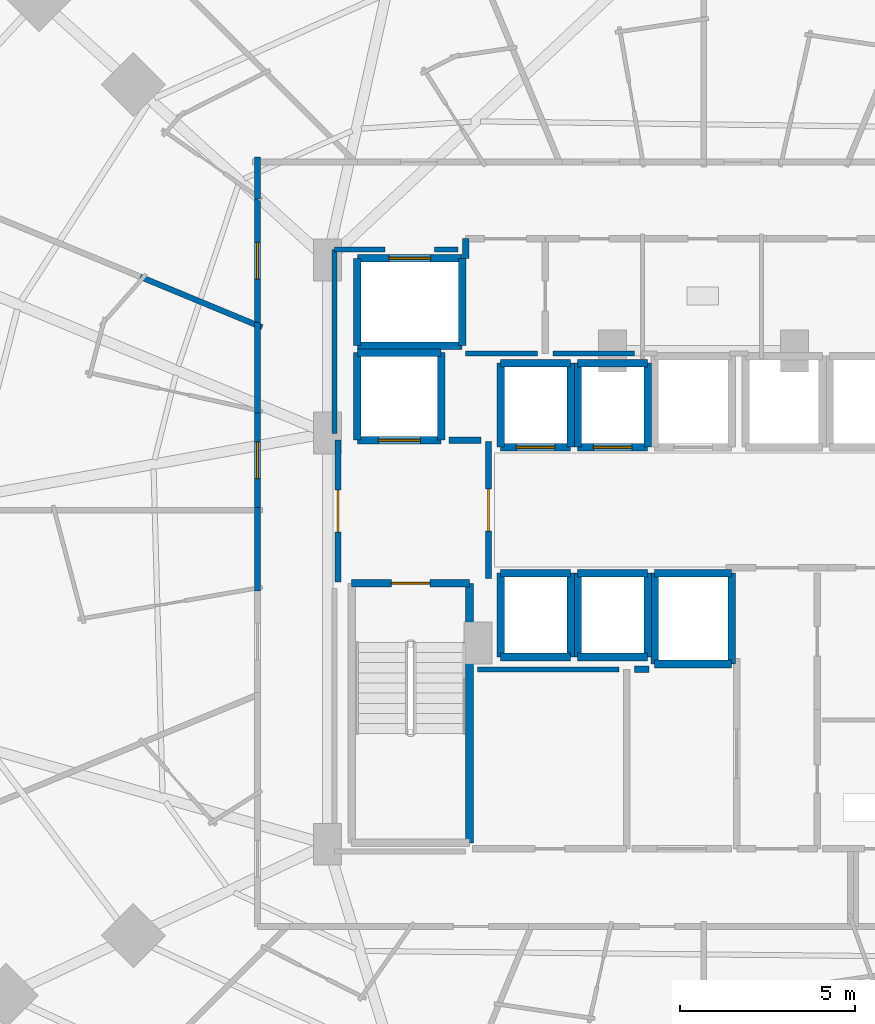
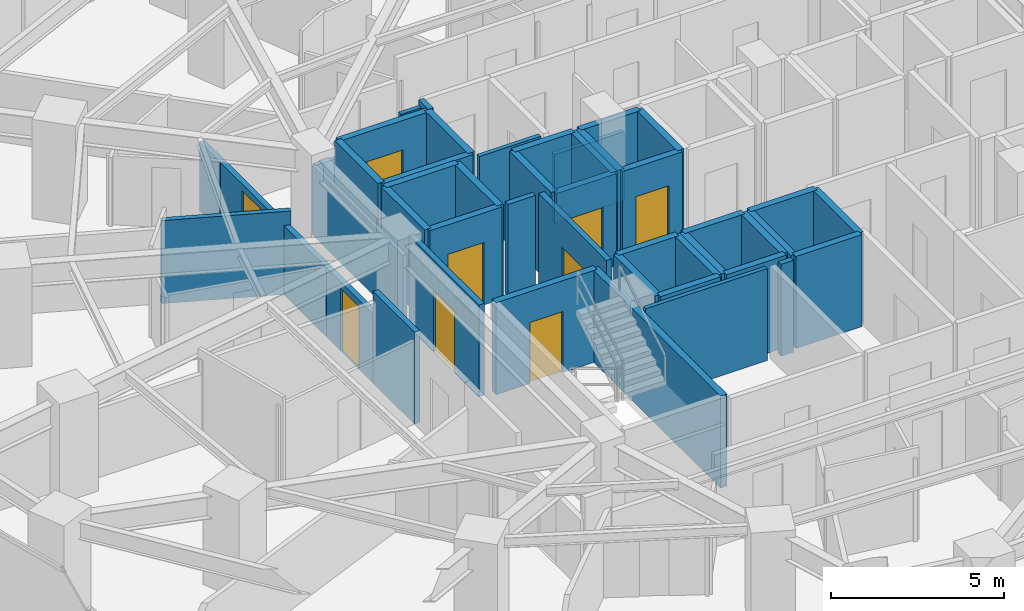
# One storey, part 28 of 36: 47 walls, 9 doors, 9 openings.
"""IFC4 building model written with IfcOpenShell, lengths in metres."""

import ifcopenshell
import ifcopenshell.guid

model = None  # the IFC model being written
_history = None  # IfcOwnerHistory: only IFC2X3 demands one
_inside = {}  # id of a spatial element -> (the spatial element, [elements in it])
_under = {}  # id of a project, library or spatial element -> (it, [spatial elements below it])
_declared = {}  # id of a project -> (the project, [libraries it declares])
_typed = {}  # id of a type object -> (the type object, [elements of that type])
_made_of = {}  # id of a material, layer set ... -> (it, [elements and type objects made of it])


def new_model(schema):
    """Start an empty IFC model of exactly this schema.

    Asked for "IFC4X3", IfcOpenShell would pick the latest addendum, in which some entities
    have other attributes; the version numbers below select the first issue.
    IFC2X3 requires an IfcOwnerHistory on every rooted entity: one is made here for all.
    """
    global model, _history
    if schema == "IFC4X3":
        model = ifcopenshell.file(schema_version=(4, 3, 0, 0))
    else:
        model = ifcopenshell.file(schema=schema)
    _inside.clear()
    _under.clear()
    _declared.clear()
    _typed.clear()
    _made_of.clear()
    _history = None
    if model.schema == "IFC2X3":
        org = make("IfcOrganization", Name="unknown")
        user = make(
            "IfcPersonAndOrganization",
            ThePerson=make("IfcPerson", FamilyName="unknown"),
            TheOrganization=org,
        )
        app = make(
            "IfcApplication",
            ApplicationDeveloper=org,
            Version="unknown",
            ApplicationFullName="unknown",
            ApplicationIdentifier="unknown",
        )
        _history = make(
            "IfcOwnerHistory",
            OwningUser=user,
            OwningApplication=app,
            ChangeAction="ADDED",
            CreationDate=0,
        )
    return model


def make(cls, **values):
    """One entity of the class cls with the attributes given. An attribute that is None is left unset."""
    return model.create_entity(
        cls, **{name: value for name, value in values.items() if value is not None}
    )


def rooted(cls, **values):
    """An entity with a GlobalId (a new one), such as an element, a storey or a relation."""
    return make(cls, GlobalId=ifcopenshell.guid.new(), OwnerHistory=_history, **values)


def si_unit(unit_type, name, prefix=None):
    """IfcSIUnit, for example si_unit("LENGTHUNIT", "METRE", prefix="MILLI")."""
    return make("IfcSIUnit", UnitType=unit_type, Prefix=prefix, Name=name)


def assignment(units):
    """IfcUnitAssignment: the units of a project."""
    return None if units is None else make("IfcUnitAssignment", Units=units)


def point(xyz):
    """IfcCartesianPoint."""
    return None if xyz is None else make("IfcCartesianPoint", Coordinates=xyz)


def direction(xyz):
    """IfcDirection."""
    return None if xyz is None else make("IfcDirection", DirectionRatios=xyz)


def frame(location, z_axis=None, x_axis=None):
    """IfcAxis2Placement3D, a coordinate frame: its origin and axes. An axis left out is left unset."""
    return make(
        "IfcAxis2Placement3D",
        Location=point(location),
        Axis=direction(z_axis),
        RefDirection=direction(x_axis),
    )


def frame_2d(location, x_axis=None):
    """IfcAxis2Placement2D, a coordinate frame in the plane: its origin and x axis."""
    return make(
        "IfcAxis2Placement2D", Location=point(location), RefDirection=direction(x_axis)
    )


def origin():
    """The frame at (0, 0, 0) with its axes left unset."""
    return frame((0.0, 0.0, 0.0))


def place(relative_to, where):
    """IfcLocalPlacement: puts the frame where relative to a parent placement (None: the world)."""
    return make(
        "IfcLocalPlacement", PlacementRelTo=relative_to, RelativePlacement=where
    )


def context(
    kind, dimensions, precision=None, world=None, true_north=None, identifier=None
):
    """IfcGeometricRepresentationContext, for example the 3D "Model" context."""
    return make(
        "IfcGeometricRepresentationContext",
        ContextIdentifier=identifier,
        ContextType=kind,
        CoordinateSpaceDimension=dimensions,
        Precision=precision,
        WorldCoordinateSystem=world,
        TrueNorth=true_north,
    )


def subcontext(parent, identifier, kind, view, scale=None):
    """IfcGeometricRepresentationSubContext, for example "Body" below "Model"."""
    return make(
        "IfcGeometricRepresentationSubContext",
        ContextIdentifier=identifier,
        ContextType=kind,
        ParentContext=parent,
        TargetScale=scale,
        TargetView=view,
    )


def project(units=None, contexts=None):
    """IfcProject with its units and contexts."""
    return rooted(
        "IfcProject",
        Name="project",
        RepresentationContexts=contexts,
        UnitsInContext=assignment(units),
    )


def spatial(cls, under=None, at=None, **own):
    """A site, building, storey or space (cls), placed at a placement, below another one or the project."""
    s = rooted(cls, ObjectPlacement=at, **own)
    if under is not None:
        _under.setdefault(under.id(), (under, []))[1].append(s)
    return s


def profile(cls, at=None, kind="AREA", **sizes):
    """A parametric profile (cls). Its sizes go by their IFC names, for example OverallWidth=200.0."""
    return make(cls, ProfileType=kind, Position=at, **sizes)


def rectangle(**sizes):
    """IfcRectangleProfileDef."""
    return profile("IfcRectangleProfileDef", **sizes)


def extrude(swept, where, along, depth):
    """IfcExtrudedAreaSolid: the profile swept, set in the frame where, extruded along a direction by depth."""
    return make(
        "IfcExtrudedAreaSolid",
        SweptArea=swept,
        Position=where,
        ExtrudedDirection=direction(along),
        Depth=depth,
    )


def shape(context_of_items, identifier, shape_type, items):
    """IfcShapeRepresentation: the items that make up one representation, for example the "Body"."""
    return make(
        "IfcShapeRepresentation",
        ContextOfItems=context_of_items,
        RepresentationIdentifier=identifier,
        RepresentationType=shape_type,
        Items=items,
    )


def material(Name=None, Category=None):
    """IfcMaterial."""
    return make("IfcMaterial", Name=Name, Category=Category)


def layer(
    of_material, thickness, ventilated=None, Name=None, Category=None, Priority=None
):
    """IfcMaterialLayer: one layer of a wall or slab, of a material (None: an air gap)."""
    return make(
        "IfcMaterialLayer",
        Material=of_material,
        LayerThickness=thickness,
        IsVentilated=ventilated,
        Name=Name,
        Category=Category,
        Priority=Priority,
    )


def layer_set(layers, Name=None):
    """IfcMaterialLayerSet."""
    return make("IfcMaterialLayerSet", MaterialLayers=layers, LayerSetName=Name)


def made_of(thing, what):
    """Note that an element or type object is made of a material, layer set ...; save() writes the relation."""
    if what is not None:
        _made_of.setdefault(what.id(), (what, []))[1].append(thing)
    return thing


def type_object(cls, material=None, **own):
    """A type object (cls), such as IfcWallType, which elements share."""
    return made_of(rooted(cls, **own), material)


def element(
    cls,
    number,
    at=None,
    inside=None,
    cuts=None,
    type_object=None,
    material=None,
    context=None,
    identifier="Body",
    shape_type=None,
    held_by="IfcProductDefinitionShape",
    body=None,
    shapes=None,
    **own,
):
    """One element of the class cls, such as IfcWall. Its Tag is "e" and its number.

    at: its placement. inside: the storey or other place that contains it. cuts: it is an
    opening in that element (IfcRelVoidsElement). A single representation is given by context,
    identifier, shape_type and body (its items); several are given by shapes. held_by: the class
    of the entity that holds the representations. save() writes the other relations.
    """
    e = rooted(cls, Tag="e%d" % number, ObjectPlacement=at, **own)
    if body is not None:
        shapes = [shape(context, identifier, shape_type, body)]
    if shapes is not None:
        e.Representation = make(held_by, Representations=shapes)
    if inside is not None:
        _inside.setdefault(inside.id(), (inside, []))[1].append(e)
    if cuts is not None:
        rooted(
            "IfcRelVoidsElement", RelatingBuildingElement=cuts, RelatedOpeningElement=e
        )
    if type_object is not None:
        _typed.setdefault(type_object.id(), (type_object, []))[1].append(e)
    return made_of(e, material)


def fill(opening, filler):
    """IfcRelFillsElement: the door or window that sits in an opening."""
    return rooted(
        "IfcRelFillsElement",
        RelatingOpeningElement=opening,
        RelatedBuildingElement=filler,
    )


def aggregate(whole, parts):
    """IfcRelAggregates: a whole, such as a stair, and the parts it consists of."""
    return rooted("IfcRelAggregates", RelatingObject=whole, RelatedObjects=parts)


def save(model, path):
    """Write the relations noted so far, then the file.

    IfcRelAggregates (storeys below a building ...), IfcRelContainedInSpatialStructure (elements
    in a storey), IfcRelDefinesByType, IfcRelAssociatesMaterial and IfcRelDeclares: one each for
    every whole, place, type object, material and project.
    """
    for whole, parts in _under.values():
        aggregate(whole, parts)
    for where, things in _inside.values():
        rooted(
            "IfcRelContainedInSpatialStructure",
            RelatedElements=things,
            RelatingStructure=where,
        )
    for kind, things in _typed.values():
        rooted("IfcRelDefinesByType", RelatedObjects=things, RelatingType=kind)
    for what, things in _made_of.values():
        rooted("IfcRelAssociatesMaterial", RelatedObjects=things, RelatingMaterial=what)
    for by, libraries in _declared.values():
        rooted("IfcRelDeclares", RelatingContext=by, RelatedDefinitions=libraries)
    model.write(path)


model = new_model("IFC4")

# Units and contexts
model_context = context("Model", 3, precision=1e-05, world=origin(), true_north=direction((0.0, 1.0)))
body_context = subcontext(model_context, "Body", "Model", "MODEL_VIEW")
ifc_project = project(units=[si_unit("LENGTHUNIT", "METRE"), si_unit("AREAUNIT", "SQUARE_METRE"), si_unit("VOLUMEUNIT", "CUBIC_METRE"), si_unit("PLANEANGLEUNIT", "RADIAN"), si_unit("MASSUNIT", "GRAM", prefix="KILO")], contexts=[model_context])

# Site, building, storey
site_placement = place(None, origin())
site = spatial("IfcSite", under=ifc_project, at=site_placement, CompositionType="ELEMENT")
building_placement = place(site_placement, origin())
building = spatial("IfcBuilding", under=site, at=building_placement, Name="Vorneva Point Tower", CompositionType="ELEMENT")
storey_placement = place(building_placement, frame((0.0, 0.0, 24.0)))
storey = spatial("IfcBuildingStorey", under=building, at=storey_placement, Name="L05", CompositionType="ELEMENT", Elevation=24.0)

# Wall, opening, door
ifc_material_1 = material(Name="Concrete B60 (C50/60)", Category="concrete")
ifc_layer_1 = layer(ifc_material_1, 0.5)
ifc_layer_set_1 = layer_set([ifc_layer_1], Name="Concrete B60 (C50/60)")
wall_type_1 = type_object("IfcWallType", Name="WL-CORE-500", PredefinedType="SHEAR", material=ifc_layer_set_1)
wall_1_placement = place(storey_placement, frame((28.10009765625, 28.0, 0.0), z_axis=(0.0, 0.0, 1.0), x_axis=(1.0, 0.0, 0.0)))
wall_1 = element("IfcWall", 1, at=wall_1_placement, inside=storey, type_object=wall_type_1, Name="L05 Lift FFL1 Shaft Wall -Y", PredefinedType="SHEAR", context=body_context, shape_type="SweptSolid", body=[
    extrude(rectangle(XDim=2.39990234375, YDim=0.219970703125, at=frame_2d((1.199951171875, 0.0))), origin(), (0.0, 0.0, 1.0), 3.239990234375),
])
opening_1_placement = place(wall_1_placement, frame((0.60009765625, 0.0, 0.0)))
opening_1 = element("IfcOpeningElement", 2, at=opening_1_placement, cuts=wall_1, Name="Opening LD-02", PredefinedType="OPENING", context=body_context, shape_type="SweptSolid", body=[
    extrude(rectangle(XDim=1.199951171875, YDim=2.199951171875, at=frame_2d((0.60009765625, 1.10009765625))), frame((0.0, 0.125, 0.0), z_axis=(0.0, -1.0, 0.0), x_axis=(1.0, 0.0, 0.0)), (0.0, 0.0, 1.0), 0.249755859375),
])
ifc_material_2 = material(Name="Brushed stainless steel S304", Category="steel")
door_type_1 = type_object("IfcDoorType", Name="LD-FIRE-1200", OperationType="SLIDING_TO_LEFT", PredefinedType="DOOR", material=ifc_material_2)
door_1_placement = place(opening_1_placement, origin())
door_1 = element("IfcDoor", 3, at=door_1_placement, inside=storey, type_object=door_type_1, Name="L05 Lift FFL1 Sliding Landing Door", OperationType="SLIDING_TO_LEFT", OverallHeight=2.199951171875, OverallWidth=1.199951171875, PredefinedType="DOOR", context=body_context, shape_type="SweptSolid", body=[
    extrude(rectangle(XDim=1.199951171875, YDim=2.199951171875, at=frame_2d((0.60009765625, 1.10009765625))), frame((0.0, 0.02490234375, 0.0), z_axis=(0.0, -1.0, 0.0), x_axis=(1.0, 0.0, 0.0)), (0.0, 0.0, 1.0), 0.050048828125),
])
fill(opening_1, door_1)

# Walls
wall_2_placement = place(storey_placement, frame((30.5, 28.0, 0.0), z_axis=(0.0, 0.0, 1.0), x_axis=(0.0, 1.0, 0.0)))
element("IfcWall", 4, at=wall_2_placement, inside=storey, type_object=wall_type_1, Name="L05 Lift FFL1 Shaft Wall +X", PredefinedType="SHEAR", context=body_context, shape_type="SweptSolid", body=[
    extrude(rectangle(XDim=2.5, YDim=0.219970703125, at=frame_2d((1.25, 0.0))), origin(), (0.0, 0.0, 1.0), 3.239990234375),
])
wall_3_placement = place(storey_placement, frame((30.5, 30.5, 0.0), z_axis=(0.0, 0.0, 1.0), x_axis=(-1.0, 0.0, 0.0)))
element("IfcWall", 5, at=wall_3_placement, inside=storey, type_object=wall_type_1, Name="L05 Lift FFL1 Shaft Wall +Y", PredefinedType="SHEAR", context=body_context, shape_type="SweptSolid", body=[
    extrude(rectangle(XDim=2.39990234375, YDim=0.219970703125, at=frame_2d((1.199951171875, 0.0))), origin(), (0.0, 0.0, 1.0), 3.239990234375),
])
wall_4_placement = place(storey_placement, frame((28.10009765625, 30.5, 0.0), z_axis=(0.0, 0.0, 1.0), x_axis=(0.0, -1.0, 0.0)))
element("IfcWall", 6, at=wall_4_placement, inside=storey, type_object=wall_type_1, Name="L05 Lift FFL1 Shaft Wall -X", PredefinedType="SHEAR", context=body_context, shape_type="SweptSolid", body=[
    extrude(rectangle(XDim=2.5, YDim=0.219970703125, at=frame_2d((1.25, 0.0))), origin(), (0.0, 0.0, 1.0), 3.239990234375),
])
ifc_material_3 = material(Name="Fire-rated acoustic gypsum stud partition", Category="gypsum")
ifc_layer_2 = layer(ifc_material_3, 0.139892578125)
ifc_layer_set_2 = layer_set([ifc_layer_2], Name="Fire-rated acoustic gypsum stud partition")
wall_type_2 = type_object("IfcWallType", Name="WL-PART-140", PredefinedType="PARTITIONING", material=ifc_layer_set_2)
wall_5_placement = place(storey_placement, frame((31.199951171875, 30.47998046875, 0.0), z_axis=(0.0, 0.0, 1.0), x_axis=(1.0, 0.0, 0.0)))
element("IfcWall", 7, at=wall_5_placement, inside=storey, type_object=wall_type_2, Name="L05 Interior Closure Partition 111", PredefinedType="PARTITIONING", context=body_context, shape_type="SweptSolid", body=[
    extrude(rectangle(XDim=2.050048828125, YDim=0.139892578125, at=frame_2d((1.02490234375, 0.0))), origin(), (0.0, 0.0, 1.0), 3.239990234375),
])
wall_6_placement = place(storey_placement, frame((33.699951171875, 30.47998046875, 0.0), z_axis=(0.0, 0.0, 1.0), x_axis=(1.0, 0.0, 0.0)))
element("IfcWall", 8, at=wall_6_placement, inside=storey, type_object=wall_type_2, Name="L05 Interior Closure Partition 112", PredefinedType="PARTITIONING", context=body_context, shape_type="SweptSolid", body=[
    extrude(rectangle(XDim=2.330078125, YDim=0.139892578125, at=frame_2d((1.1650390625, 0.0))), origin(), (0.0, 0.0, 1.0), 2.431884765625),
])
wall_7_placement = place(storey_placement, frame((35.580078125, 21.449951171875, 0.0), z_axis=(0.0, 0.0, 1.0), x_axis=(-1.0, 0.0, 0.0)))
element("IfcWall", 9, at=wall_7_placement, inside=storey, type_object=wall_type_2, Name="L05 Interior Closure Partition 117", PredefinedType="PARTITIONING", context=body_context, shape_type="SweptSolid", body=[
    extrude(rectangle(XDim=4.050048828125, YDim=0.139892578125, at=frame_2d((2.02490234375, 0.0))), origin(), (0.0, 0.0, 1.0), 3.239990234375),
])
wall_8_placement = place(storey_placement, frame((27.449951171875, 28.196044921875, 0.0), z_axis=(0.0, 0.0, 1.0), x_axis=(0.0, 1.0, 0.0)))
element("IfcWall", 10, at=wall_8_placement, inside=storey, type_object=wall_type_2, Name="L05 Interior Closure Partition 125", PredefinedType="PARTITIONING", context=body_context, shape_type="SweptSolid", body=[
    extrude(rectangle(XDim=5.25390625, YDim=0.139892578125, at=frame_2d((2.626953125, 0.0))), origin(), (0.0, 0.0, 1.0), 2.431884765625),
])
wall_9_placement = place(storey_placement, frame((27.449951171875, 33.449951171875, 0.0), z_axis=(0.0, 0.0, 1.0), x_axis=(1.0, 0.0, 0.0)))
element("IfcWall", 11, at=wall_9_placement, inside=storey, type_object=wall_type_2, Name="L05 Interior Closure Partition 126", PredefinedType="PARTITIONING", context=body_context, shape_type="SweptSolid", body=[
    extrude(rectangle(XDim=1.444091796875, YDim=0.139892578125, at=frame_2d((0.72216796875, 0.0))), origin(), (0.0, 0.0, 1.0), 2.431884765625),
])
wall_10_placement = place(storey_placement, frame((30.305908203125, 33.449951171875, 0.0), z_axis=(0.0, 0.0, 1.0), x_axis=(1.0, 0.0, 0.0)))
element("IfcWall", 12, at=wall_10_placement, inside=storey, type_object=wall_type_2, Name="L05 Interior Closure Partition 127", PredefinedType="PARTITIONING", context=body_context, shape_type="SweptSolid", body=[
    extrude(rectangle(XDim=0.674072265625, YDim=0.139892578125, at=frame_2d((0.3369140625, 0.0))), origin(), (0.0, 0.0, 1.0), 3.239990234375),
])
ifc_layer_3 = layer(ifc_material_3, 0.159912109375)
ifc_layer_set_3 = layer_set([ifc_layer_3], Name="Fire-rated acoustic gypsum stud partition")
wall_type_3 = type_object("IfcWallType", Name="WL-PART-160", PredefinedType="PARTITIONING", material=ifc_layer_set_3)
wall_11_placement = place(storey_placement, frame((21.898681640625, 32.66943359375, 0.0), z_axis=(0.0, 0.0, 1.0), x_axis=(0.923843852071, -0.382769561211, 0.0)))
element("IfcWall", 13, at=wall_11_placement, inside=storey, type_object=wall_type_3, Name="L05 Interior Partition 087", PredefinedType="PARTITIONING", context=body_context, shape_type="SweptSolid", body=[
    extrude(rectangle(XDim=3.767578125, YDim=0.159912109375, at=frame_2d((1.8837890625, 0.0))), origin(), (0.0, 0.0, 1.0), 2.922119140625),
])

# Wall, opening, door
ifc_material_4 = material(Name="Autoclaved aerated concrete blockwork", Category="masonry")
ifc_layer_4 = layer(ifc_material_4, 0.179931640625)
ifc_layer_set_4 = layer_set([ifc_layer_4], Name="Autoclaved aerated concrete blockwork")
wall_type_4 = type_object("IfcWallType", Name="WL-PART-180", PredefinedType="PARTITIONING", material=ifc_layer_set_4)
wall_12_placement = place(storey_placement, frame((31.85009765625, 24.044921875, 0.0), z_axis=(0.0, 0.0, 1.0), x_axis=(0.0, 1.0, 0.0)))
wall_12 = element("IfcWall", 14, at=wall_12_placement, inside=storey, type_object=wall_type_4, Name="L05 Interior Partition 001", PredefinedType="PARTITIONING", context=body_context, shape_type="SweptSolid", body=[
    extrude(rectangle(XDim=3.91015625, YDim=0.179931640625, at=frame_2d((1.955078125, 0.0))), origin(), (0.0, 0.0, 1.0), 3.239990234375),
])
opening_2_placement = place(wall_12_placement, frame((1.35498046875, 0.0, 0.0)))
opening_2 = element("IfcOpeningElement", 15, at=opening_2_placement, cuts=wall_12, Name="Opening FD-02", PredefinedType="OPENING", context=body_context, shape_type="SweptSolid", body=[
    extrude(rectangle(XDim=1.199951171875, YDim=2.14990234375, at=frame_2d((0.60009765625, 1.074951171875))), frame((0.0, 0.10498046875, 0.0), z_axis=(0.0, -1.0, 0.0), x_axis=(1.0, 0.0, 0.0)), (0.0, 0.0, 1.0), 0.209716796875),
])
ifc_material_5 = material(Name="Fire-rated powder-coated steel", Category="steel")
door_type_2 = type_object("IfcDoorType", Name="DR-FFL-1200", OperationType="NOTDEFINED", PredefinedType="DOOR", material=ifc_material_5)
door_2_placement = place(opening_2_placement, origin())
door_2 = element("IfcDoor", 16, at=door_2_placement, inside=storey, type_object=door_type_2, Name="L05 Door West Firefighting Lobby / Central Lift Lobby", OperationType="SINGLE_SWING_LEFT", OverallHeight=2.14990234375, OverallWidth=1.199951171875, PredefinedType="DOOR", context=body_context, shape_type="SweptSolid", body=[
    extrude(rectangle(XDim=1.199951171875, YDim=2.14990234375, at=frame_2d((0.60009765625, 1.074951171875))), frame((0.0, 0.02490234375, 0.0), z_axis=(0.0, -1.0, 0.0), x_axis=(1.0, 0.0, 0.0)), (0.0, 0.0, 1.0), 0.050048828125),
])
fill(opening_2, door_2)

wall_13_placement = place(storey_placement, frame((27.550048828125, 28.0, 0.0), z_axis=(0.0, 0.0, 1.0), x_axis=(0.0, -1.0, 0.0)))
wall_13 = element("IfcWall", 17, at=wall_13_placement, inside=storey, type_object=wall_type_4, Name="L05 Interior Partition 002", PredefinedType="PARTITIONING", context=body_context, shape_type="SweptSolid", body=[
    extrude(rectangle(XDim=4.050048828125, YDim=0.179931640625, at=frame_2d((2.02490234375, 0.0))), origin(), (0.0, 0.0, 1.0), 3.239990234375),
])
opening_3_placement = place(wall_13_placement, frame((1.425048828125, 0.0, 0.0)))
opening_3 = element("IfcOpeningElement", 18, at=opening_3_placement, cuts=wall_13, Name="Opening FD-02", PredefinedType="OPENING", context=body_context, shape_type="SweptSolid", body=[
    extrude(rectangle(XDim=1.199951171875, YDim=2.14990234375, at=frame_2d((0.60009765625, 1.074951171875))), frame((0.0, 0.10498046875, 0.0), z_axis=(0.0, -1.0, 0.0), x_axis=(1.0, 0.0, 0.0)), (0.0, 0.0, 1.0), 0.209716796875),
])
door_3_placement = place(opening_3_placement, origin())
door_3 = element("IfcDoor", 19, at=door_3_placement, inside=storey, type_object=door_type_2, Name="L05 Door West Firefighting Lobby / L05 Circulation Corridor", OperationType="SINGLE_SWING_RIGHT", OverallHeight=2.14990234375, OverallWidth=1.199951171875, PredefinedType="DOOR", context=body_context, shape_type="SweptSolid", body=[
    extrude(rectangle(XDim=1.199951171875, YDim=2.14990234375, at=frame_2d((0.60009765625, 1.074951171875))), frame((0.0, 0.02490234375, 0.0), z_axis=(0.0, -1.0, 0.0), x_axis=(1.0, 0.0, 0.0)), (0.0, 0.0, 1.0), 0.050048828125),
])
fill(opening_3, door_3)

# Wall
wall_14_placement = place(storey_placement, frame((31.199951171875, 33.760009765625, 0.0), z_axis=(0.0, 0.0, 1.0), x_axis=(0.0, -1.0, 0.0)))
element("IfcWall", 20, at=wall_14_placement, inside=storey, type_object=wall_type_4, Name="L05 Interior Partition 008", PredefinedType="PARTITIONING", context=body_context, shape_type="SweptSolid", body=[
    extrude(rectangle(XDim=0.56005859375, YDim=0.179931640625, at=frame_2d((0.280029296875, 0.0))), origin(), (0.0, 0.0, 1.0), 3.239990234375),
])

# Wall, opening, door
wall_15_placement = place(storey_placement, frame((25.25, 35.033935546875, 0.0), z_axis=(0.0, 0.0, 1.0), x_axis=(0.0, -1.0, 0.0)))
wall_15 = element("IfcWall", 21, at=wall_15_placement, inside=storey, type_object=wall_type_4, Name="L05 Interior Partition 039", PredefinedType="PARTITIONING", context=body_context, shape_type="SweptSolid", body=[
    extrude(rectangle(XDim=3.81298828125, YDim=0.179931640625, at=frame_2d((1.906494140625, 0.0))), origin(), (0.0, 0.0, 1.0), 2.431884765625),
])
opening_4_placement = place(wall_15_placement, frame((1.381591796875, 0.0, 0.0)))
opening_4 = element("IfcOpeningElement", 22, at=opening_4_placement, cuts=wall_15, Name="Opening UD-02", PredefinedType="OPENING", context=body_context, shape_type="SweptSolid", body=[
    extrude(rectangle(XDim=1.050048828125, YDim=2.199951171875, at=frame_2d((0.52490234375, 1.10009765625))), frame((0.0, 0.10498046875, 0.0), z_axis=(0.0, -1.0, 0.0), x_axis=(1.0, 0.0, 0.0)), (0.0, 0.0, 1.0), 0.209716796875),
])
ifc_material_6 = material(Name="Engineered oak fire-rated door leaf", Category="wood")
door_type_3 = type_object("IfcDoorType", Name="DR-SUITE-1050", OperationType="NOTDEFINED", PredefinedType="DOOR", material=ifc_material_6)
door_4_placement = place(opening_4_placement, origin())
door_4 = element("IfcDoor", 23, at=door_4_placement, inside=storey, type_object=door_type_3, Name="L05 Door L05 Circulation Corridor / Junior Suite L05-07", OperationType="SINGLE_SWING_LEFT", OverallHeight=2.199951171875, OverallWidth=1.050048828125, PredefinedType="DOOR", context=body_context, shape_type="SweptSolid", body=[
    extrude(rectangle(XDim=1.050048828125, YDim=2.199951171875, at=frame_2d((0.52490234375, 1.10009765625))), frame((0.0, 0.02490234375, 0.0), z_axis=(0.0, -1.0, 0.0), x_axis=(1.0, 0.0, 0.0)), (0.0, 0.0, 1.0), 0.050048828125),
])
fill(opening_4, door_4)

# Wall
wall_16_placement = place(storey_placement, frame((25.25, 36.090087890625, 0.0), z_axis=(0.0, 0.0, 1.0), x_axis=(0.0, -1.0, 0.0)))
element("IfcWall", 24, at=wall_16_placement, inside=storey, type_object=wall_type_4, Name="L05 Interior Partition 041", PredefinedType="PARTITIONING", context=body_context, shape_type="SweptSolid", body=[
    extrude(rectangle(XDim=1.196044921875, YDim=0.179931640625, at=frame_2d((0.59814453125, 0.0))), origin(), (0.0, 0.0, 1.0), 2.431884765625),
])

# Wall, opening, door
wall_17_placement = place(storey_placement, frame((25.25, 28.910888671875, 0.0), z_axis=(0.0, 0.0, 1.0), x_axis=(0.0, -1.0, 0.0)))
wall_17 = element("IfcWall", 25, at=wall_17_placement, inside=storey, type_object=wall_type_4, Name="L05 Interior Partition 042", PredefinedType="PARTITIONING", context=body_context, shape_type="SweptSolid", body=[
    extrude(rectangle(XDim=2.970947265625, YDim=0.179931640625, at=frame_2d((1.4853515625, 0.0))), origin(), (0.0, 0.0, 1.0), 2.431884765625),
])
opening_5_placement = place(wall_17_placement, frame((0.96044921875, 0.0, 0.0)))
opening_5 = element("IfcOpeningElement", 26, at=opening_5_placement, cuts=wall_17, Name="Opening UD-02", PredefinedType="OPENING", context=body_context, shape_type="SweptSolid", body=[
    extrude(rectangle(XDim=1.050048828125, YDim=2.199951171875, at=frame_2d((0.52490234375, 1.10009765625))), frame((0.0, 0.10498046875, 0.0), z_axis=(0.0, -1.0, 0.0), x_axis=(1.0, 0.0, 0.0)), (0.0, 0.0, 1.0), 0.209716796875),
])
door_5_placement = place(opening_5_placement, origin())
door_5 = element("IfcDoor", 27, at=door_5_placement, inside=storey, type_object=door_type_3, Name="L05 Door L05 Circulation Corridor / Executive Suite L05-08", OperationType="SINGLE_SWING_RIGHT", OverallHeight=2.199951171875, OverallWidth=1.050048828125, PredefinedType="DOOR", context=body_context, shape_type="SweptSolid", body=[
    extrude(rectangle(XDim=1.050048828125, YDim=2.199951171875, at=frame_2d((0.52490234375, 1.10009765625))), frame((0.0, 0.02490234375, 0.0), z_axis=(0.0, -1.0, 0.0), x_axis=(1.0, 0.0, 0.0)), (0.0, 0.0, 1.0), 0.050048828125),
])
fill(opening_5, door_5)

# Walls
wall_18_placement = place(storey_placement, frame((25.25, 31.361083984375, 0.0), z_axis=(0.0, 0.0, 1.0), x_axis=(0.0, -1.0, 0.0)))
element("IfcWall", 28, at=wall_18_placement, inside=storey, type_object=wall_type_4, Name="L05 Interior Partition 043", PredefinedType="PARTITIONING", context=body_context, shape_type="SweptSolid", body=[
    extrude(rectangle(XDim=2.590087890625, YDim=0.179931640625, at=frame_2d((1.294921875, 0.0))), origin(), (0.0, 0.0, 1.0), 2.431884765625),
])
wall_19_placement = place(storey_placement, frame((25.25, 26.080078125, 0.0), z_axis=(0.0, 0.0, 1.0), x_axis=(0.0, -1.0, 0.0)))
element("IfcWall", 29, at=wall_19_placement, inside=storey, type_object=wall_type_4, Name="L05 Interior Partition 045", PredefinedType="PARTITIONING", context=body_context, shape_type="SweptSolid", body=[
    extrude(rectangle(XDim=2.385009765625, YDim=0.179931640625, at=frame_2d((1.1923828125, 0.0))), origin(), (0.0, 0.0, 1.0), 3.239990234375),
])
wall_20_placement = place(storey_placement, frame((31.635009765625, 28.0, 0.0), z_axis=(0.0, 0.0, 1.0), x_axis=(-1.0, 0.0, 0.0)))
element("IfcWall", 30, at=wall_20_placement, inside=storey, type_object=wall_type_4, Name="L05 Interior Closure Partition 109", PredefinedType="PARTITIONING", context=body_context, shape_type="SweptSolid", body=[
    extrude(rectangle(XDim=0.9150390625, YDim=0.179931640625, at=frame_2d((0.45751953125, 0.0))), origin(), (0.0, 0.0, 1.0), 3.239990234375),
])
wall_21_placement = place(storey_placement, frame((36.43896484375, 21.449951171875, 0.0), z_axis=(0.0, 0.0, 1.0), x_axis=(-1.0, 0.0, 0.0)))
element("IfcWall", 31, at=wall_21_placement, inside=storey, type_object=wall_type_4, Name="L05 Interior Closure Partition 118", PredefinedType="PARTITIONING", context=body_context, shape_type="SweptSolid", body=[
    extrude(rectangle(XDim=0.408935546875, YDim=0.179931640625, at=frame_2d((0.20458984375, 0.0))), origin(), (0.0, 0.0, 1.0), 3.239990234375),
])

# Wall, opening, door
ifc_material_7 = material(Name="Concrete B50 (C40/50)", Category="concrete")
ifc_layer_5 = layer(ifc_material_7, 0.219970703125)
ifc_layer_set_5 = layer_set([ifc_layer_5], Name="Concrete B50 (C40/50)")
wall_type_5 = type_object("IfcWallType", Name="WL-SHFT-220", PredefinedType="SOLIDWALL", material=ifc_layer_set_5)
wall_22_placement = place(storey_placement, frame((27.93994140625, 23.909912109375, 0.0), z_axis=(0.0, 0.0, 1.0), x_axis=(1.0, 0.0, 0.0)))
wall_22 = element("IfcWall", 32, at=wall_22_placement, inside=storey, type_object=wall_type_5, Name="L05 Exit Stair ST1 Shaft Wall near", PredefinedType="SOLIDWALL", context=body_context, shape_type="SweptSolid", body=[
    extrude(rectangle(XDim=3.3701171875, YDim=0.219970703125, at=frame_2d((1.68505859375, 0.0))), origin(), (0.0, 0.0, 1.0), 3.239990234375),
])
opening_6_placement = place(wall_22_placement, frame((1.135009765625, 0.0, 0.0)))
opening_6 = element("IfcOpeningElement", 33, at=opening_6_placement, cuts=wall_22, Name="Opening FD-01", PredefinedType="OPENING", context=body_context, shape_type="SweptSolid", body=[
    extrude(rectangle(XDim=1.10009765625, YDim=2.14990234375, at=frame_2d((0.550048828125, 1.074951171875))), frame((0.0, 0.125, 0.0), z_axis=(0.0, -1.0, 0.0), x_axis=(1.0, 0.0, 0.0)), (0.0, 0.0, 1.0), 0.249755859375),
])
door_type_4 = type_object("IfcDoorType", Name="DR-STAIR-1100", OperationType="NOTDEFINED", PredefinedType="DOOR", material=ifc_material_5)
door_6_placement = place(opening_6_placement, origin())
door_6 = element("IfcDoor", 34, at=door_6_placement, inside=storey, type_object=door_type_4, Name="L05 Exit Stair ST1 Fire Door", OperationType="SINGLE_SWING_LEFT", OverallHeight=2.14990234375, OverallWidth=1.10009765625, PredefinedType="DOOR", context=body_context, shape_type="SweptSolid", body=[
    extrude(rectangle(XDim=1.10009765625, YDim=2.14990234375, at=frame_2d((0.550048828125, 1.074951171875))), frame((0.0, 0.02490234375, 0.0), z_axis=(0.0, -1.0, 0.0), x_axis=(1.0, 0.0, 0.0)), (0.0, 0.0, 1.0), 0.050048828125),
])
fill(opening_6, door_6)

# Wall
wall_23_placement = place(storey_placement, frame((31.31005859375, 23.909912109375, 0.0), z_axis=(0.0, 0.0, 1.0), x_axis=(0.0, -1.0, 0.0)))
element("IfcWall", 35, at=wall_23_placement, inside=storey, type_object=wall_type_5, Name="L05 Exit Stair ST1 Shaft Wall right", PredefinedType="SOLIDWALL", context=body_context, shape_type="SweptSolid", body=[
    extrude(rectangle(XDim=7.419921875, YDim=0.219970703125, at=frame_2d((3.7099609375, 0.0))), origin(), (0.0, 0.0, 1.0), 3.239990234375),
])

# Wall, opening, door
wall_24_placement = place(storey_placement, frame((32.199951171875, 27.800048828125, 0.0), z_axis=(0.0, 0.0, 1.0), x_axis=(1.0, 0.0, 0.0)))
wall_24 = element("IfcWall", 36, at=wall_24_placement, inside=storey, type_object=wall_type_5, Name="L05 Lift PL1 Shaft Wall -Y", PredefinedType="SOLIDWALL", context=body_context, shape_type="SweptSolid", body=[
    extrude(rectangle(XDim=2.0, YDim=0.219970703125, at=frame_2d((1.0, 0.0))), origin(), (0.0, 0.0, 1.0), 3.239990234375),
])
opening_7_placement = place(wall_24_placement, frame((0.449951171875, 0.0, 0.0)))
opening_7 = element("IfcOpeningElement", 37, at=opening_7_placement, cuts=wall_24, Name="Opening LD-01", PredefinedType="OPENING", context=body_context, shape_type="SweptSolid", body=[
    extrude(rectangle(XDim=1.10009765625, YDim=2.199951171875, at=frame_2d((0.550048828125, 1.10009765625))), frame((0.0, 0.125, 0.0), z_axis=(0.0, -1.0, 0.0), x_axis=(1.0, 0.0, 0.0)), (0.0, 0.0, 1.0), 0.249755859375),
])
door_type_5 = type_object("IfcDoorType", Name="LD-PASS-1100", OperationType="SLIDING_TO_LEFT", PredefinedType="DOOR", material=ifc_material_2)
door_7_placement = place(opening_7_placement, origin())
door_7 = element("IfcDoor", 38, at=door_7_placement, inside=storey, type_object=door_type_5, Name="L05 Lift PL1 Sliding Landing Door", OperationType="SLIDING_TO_LEFT", OverallHeight=2.199951171875, OverallWidth=1.10009765625, PredefinedType="DOOR", context=body_context, shape_type="SweptSolid", body=[
    extrude(rectangle(XDim=1.10009765625, YDim=2.199951171875, at=frame_2d((0.550048828125, 1.10009765625))), frame((0.0, 0.02490234375, 0.0), z_axis=(0.0, -1.0, 0.0), x_axis=(1.0, 0.0, 0.0)), (0.0, 0.0, 1.0), 0.050048828125),
])
fill(opening_7, door_7)

# Walls
wall_25_placement = place(storey_placement, frame((34.199951171875, 27.800048828125, 0.0), z_axis=(0.0, 0.0, 1.0), x_axis=(0.0, 1.0, 0.0)))
element("IfcWall", 39, at=wall_25_placement, inside=storey, type_object=wall_type_5, Name="L05 Lift PL1 Shaft Wall +X", PredefinedType="SOLIDWALL", context=body_context, shape_type="SweptSolid", body=[
    extrude(rectangle(XDim=2.39990234375, YDim=0.219970703125, at=frame_2d((1.199951171875, 0.0))), origin(), (0.0, 0.0, 1.0), 3.239990234375),
])
wall_26_placement = place(storey_placement, frame((34.199951171875, 30.199951171875, 0.0), z_axis=(0.0, 0.0, 1.0), x_axis=(-1.0, 0.0, 0.0)))
element("IfcWall", 40, at=wall_26_placement, inside=storey, type_object=wall_type_5, Name="L05 Lift PL1 Shaft Wall +Y", PredefinedType="SOLIDWALL", context=body_context, shape_type="SweptSolid", body=[
    extrude(rectangle(XDim=2.0, YDim=0.219970703125, at=frame_2d((1.0, 0.0))), origin(), (0.0, 0.0, 1.0), 3.239990234375),
])
wall_27_placement = place(storey_placement, frame((32.199951171875, 30.199951171875, 0.0), z_axis=(0.0, 0.0, 1.0), x_axis=(0.0, -1.0, 0.0)))
element("IfcWall", 41, at=wall_27_placement, inside=storey, type_object=wall_type_5, Name="L05 Lift PL1 Shaft Wall -X", PredefinedType="SOLIDWALL", context=body_context, shape_type="SweptSolid", body=[
    extrude(rectangle(XDim=2.39990234375, YDim=0.219970703125, at=frame_2d((1.199951171875, 0.0))), origin(), (0.0, 0.0, 1.0), 3.239990234375),
])

# Wall, opening, door
wall_28_placement = place(storey_placement, frame((34.39990234375, 27.800048828125, 0.0), z_axis=(0.0, 0.0, 1.0), x_axis=(1.0, 0.0, 0.0)))
wall_28 = element("IfcWall", 42, at=wall_28_placement, inside=storey, type_object=wall_type_5, Name="L05 Lift PL2 Shaft Wall -Y", PredefinedType="SOLIDWALL", context=body_context, shape_type="SweptSolid", body=[
    extrude(rectangle(XDim=2.0, YDim=0.219970703125, at=frame_2d((1.0, 0.0))), origin(), (0.0, 0.0, 1.0), 3.239990234375),
])
opening_8_placement = place(wall_28_placement, frame((0.449951171875, 0.0, 0.0)))
opening_8 = element("IfcOpeningElement", 43, at=opening_8_placement, cuts=wall_28, Name="Opening LD-01", PredefinedType="OPENING", context=body_context, shape_type="SweptSolid", body=[
    extrude(rectangle(XDim=1.10009765625, YDim=2.199951171875, at=frame_2d((0.550048828125, 1.10009765625))), frame((0.0, 0.125, 0.0), z_axis=(0.0, -1.0, 0.0), x_axis=(1.0, 0.0, 0.0)), (0.0, 0.0, 1.0), 0.249755859375),
])
door_8_placement = place(opening_8_placement, origin())
door_8 = element("IfcDoor", 44, at=door_8_placement, inside=storey, type_object=door_type_5, Name="L05 Lift PL2 Sliding Landing Door", OperationType="SLIDING_TO_LEFT", OverallHeight=2.199951171875, OverallWidth=1.10009765625, PredefinedType="DOOR", context=body_context, shape_type="SweptSolid", body=[
    extrude(rectangle(XDim=1.10009765625, YDim=2.199951171875, at=frame_2d((0.550048828125, 1.10009765625))), frame((0.0, 0.02490234375, 0.0), z_axis=(0.0, -1.0, 0.0), x_axis=(1.0, 0.0, 0.0)), (0.0, 0.0, 1.0), 0.050048828125),
])
fill(opening_8, door_8)

# Walls
wall_29_placement = place(storey_placement, frame((36.39990234375, 27.800048828125, 0.0), z_axis=(0.0, 0.0, 1.0), x_axis=(0.0, 1.0, 0.0)))
element("IfcWall", 45, at=wall_29_placement, inside=storey, type_object=wall_type_5, Name="L05 Lift PL2 Shaft Wall +X", PredefinedType="SOLIDWALL", context=body_context, shape_type="SweptSolid", body=[
    extrude(rectangle(XDim=2.39990234375, YDim=0.219970703125, at=frame_2d((1.199951171875, 0.0))), origin(), (0.0, 0.0, 1.0), 3.239990234375),
])
wall_30_placement = place(storey_placement, frame((36.39990234375, 30.199951171875, 0.0), z_axis=(0.0, 0.0, 1.0), x_axis=(-1.0, 0.0, 0.0)))
element("IfcWall", 46, at=wall_30_placement, inside=storey, type_object=wall_type_5, Name="L05 Lift PL2 Shaft Wall +Y", PredefinedType="SOLIDWALL", context=body_context, shape_type="SweptSolid", body=[
    extrude(rectangle(XDim=2.0, YDim=0.219970703125, at=frame_2d((1.0, 0.0))), origin(), (0.0, 0.0, 1.0), 3.239990234375),
])
wall_31_placement = place(storey_placement, frame((34.39990234375, 30.199951171875, 0.0), z_axis=(0.0, 0.0, 1.0), x_axis=(0.0, -1.0, 0.0)))
element("IfcWall", 47, at=wall_31_placement, inside=storey, type_object=wall_type_5, Name="L05 Lift PL2 Shaft Wall -X", PredefinedType="SOLIDWALL", context=body_context, shape_type="SweptSolid", body=[
    extrude(rectangle(XDim=2.39990234375, YDim=0.219970703125, at=frame_2d((1.199951171875, 0.0))), origin(), (0.0, 0.0, 1.0), 3.239990234375),
])
wall_32_placement = place(storey_placement, frame((32.199951171875, 21.800048828125, 0.0), z_axis=(0.0, 0.0, 1.0), x_axis=(1.0, 0.0, 0.0)))
element("IfcWall", 48, at=wall_32_placement, inside=storey, type_object=wall_type_5, Name="L05 Lift PL4 Shaft Wall -Y", PredefinedType="SOLIDWALL", context=body_context, shape_type="SweptSolid", body=[
    extrude(rectangle(XDim=2.0, YDim=0.219970703125, at=frame_2d((1.0, 0.0))), origin(), (0.0, 0.0, 1.0), 3.239990234375),
])
wall_33_placement = place(storey_placement, frame((34.199951171875, 21.800048828125, 0.0), z_axis=(0.0, 0.0, 1.0), x_axis=(0.0, 1.0, 0.0)))
element("IfcWall", 49, at=wall_33_placement, inside=storey, type_object=wall_type_5, Name="L05 Lift PL4 Shaft Wall +X", PredefinedType="SOLIDWALL", context=body_context, shape_type="SweptSolid", body=[
    extrude(rectangle(XDim=2.39990234375, YDim=0.219970703125, at=frame_2d((1.199951171875, 0.0))), origin(), (0.0, 0.0, 1.0), 3.239990234375),
])
wall_34_placement = place(storey_placement, frame((34.199951171875, 24.199951171875, 0.0), z_axis=(0.0, 0.0, 1.0), x_axis=(-1.0, 0.0, 0.0)))
element("IfcWall", 50, at=wall_34_placement, inside=storey, type_object=wall_type_5, Name="L05 Lift PL4 Shaft Wall +Y", PredefinedType="SOLIDWALL", context=body_context, shape_type="SweptSolid", body=[
    extrude(rectangle(XDim=2.0, YDim=0.219970703125, at=frame_2d((1.0, 0.0))), origin(), (0.0, 0.0, 1.0), 3.239990234375),
])
wall_35_placement = place(storey_placement, frame((32.199951171875, 24.199951171875, 0.0), z_axis=(0.0, 0.0, 1.0), x_axis=(0.0, -1.0, 0.0)))
element("IfcWall", 51, at=wall_35_placement, inside=storey, type_object=wall_type_5, Name="L05 Lift PL4 Shaft Wall -X", PredefinedType="SOLIDWALL", context=body_context, shape_type="SweptSolid", body=[
    extrude(rectangle(XDim=2.39990234375, YDim=0.219970703125, at=frame_2d((1.199951171875, 0.0))), origin(), (0.0, 0.0, 1.0), 3.239990234375),
])
wall_36_placement = place(storey_placement, frame((34.39990234375, 21.800048828125, 0.0), z_axis=(0.0, 0.0, 1.0), x_axis=(1.0, 0.0, 0.0)))
element("IfcWall", 52, at=wall_36_placement, inside=storey, type_object=wall_type_5, Name="L05 Lift PL5 Shaft Wall -Y", PredefinedType="SOLIDWALL", context=body_context, shape_type="SweptSolid", body=[
    extrude(rectangle(XDim=2.0, YDim=0.219970703125, at=frame_2d((1.0, 0.0))), origin(), (0.0, 0.0, 1.0), 3.239990234375),
])
wall_37_placement = place(storey_placement, frame((36.39990234375, 21.800048828125, 0.0), z_axis=(0.0, 0.0, 1.0), x_axis=(0.0, 1.0, 0.0)))
element("IfcWall", 53, at=wall_37_placement, inside=storey, type_object=wall_type_5, Name="L05 Lift PL5 Shaft Wall +X", PredefinedType="SOLIDWALL", context=body_context, shape_type="SweptSolid", body=[
    extrude(rectangle(XDim=2.39990234375, YDim=0.219970703125, at=frame_2d((1.199951171875, 0.0))), origin(), (0.0, 0.0, 1.0), 3.239990234375),
])
wall_38_placement = place(storey_placement, frame((36.39990234375, 24.199951171875, 0.0), z_axis=(0.0, 0.0, 1.0), x_axis=(-1.0, 0.0, 0.0)))
element("IfcWall", 54, at=wall_38_placement, inside=storey, type_object=wall_type_5, Name="L05 Lift PL5 Shaft Wall +Y", PredefinedType="SOLIDWALL", context=body_context, shape_type="SweptSolid", body=[
    extrude(rectangle(XDim=2.0, YDim=0.219970703125, at=frame_2d((1.0, 0.0))), origin(), (0.0, 0.0, 1.0), 3.239990234375),
])
wall_39_placement = place(storey_placement, frame((34.39990234375, 24.199951171875, 0.0), z_axis=(0.0, 0.0, 1.0), x_axis=(0.0, -1.0, 0.0)))
element("IfcWall", 55, at=wall_39_placement, inside=storey, type_object=wall_type_5, Name="L05 Lift PL5 Shaft Wall -X", PredefinedType="SOLIDWALL", context=body_context, shape_type="SweptSolid", body=[
    extrude(rectangle(XDim=2.39990234375, YDim=0.219970703125, at=frame_2d((1.199951171875, 0.0))), origin(), (0.0, 0.0, 1.0), 3.239990234375),
])
wall_40_placement = place(storey_placement, frame((36.60009765625, 21.60009765625, 0.0), z_axis=(0.0, 0.0, 1.0), x_axis=(1.0, 0.0, 0.0)))
element("IfcWall", 56, at=wall_40_placement, inside=storey, type_object=wall_type_5, Name="L05 Lift PL6 Shaft Wall -Y", PredefinedType="SOLIDWALL", context=body_context, shape_type="SweptSolid", body=[
    extrude(rectangle(XDim=2.199951171875, YDim=0.219970703125, at=frame_2d((1.10009765625, 0.0))), origin(), (0.0, 0.0, 1.0), 3.239990234375),
])
wall_41_placement = place(storey_placement, frame((38.800048828125, 21.60009765625, 0.0), z_axis=(0.0, 0.0, 1.0), x_axis=(0.0, 1.0, 0.0)))
element("IfcWall", 57, at=wall_41_placement, inside=storey, type_object=wall_type_5, Name="L05 Lift PL6 Shaft Wall +X", PredefinedType="SOLIDWALL", context=body_context, shape_type="SweptSolid", body=[
    extrude(rectangle(XDim=2.599853515625, YDim=0.219970703125, at=frame_2d((1.2998046875, 0.0))), origin(), (0.0, 0.0, 1.0), 3.239990234375),
])
wall_42_placement = place(storey_placement, frame((38.800048828125, 24.199951171875, 0.0), z_axis=(0.0, 0.0, 1.0), x_axis=(-1.0, 0.0, 0.0)))
element("IfcWall", 58, at=wall_42_placement, inside=storey, type_object=wall_type_5, Name="L05 Lift PL6 Shaft Wall +Y", PredefinedType="SOLIDWALL", context=body_context, shape_type="SweptSolid", body=[
    extrude(rectangle(XDim=2.199951171875, YDim=0.219970703125, at=frame_2d((1.10009765625, 0.0))), origin(), (0.0, 0.0, 1.0), 3.239990234375),
])
wall_43_placement = place(storey_placement, frame((36.60009765625, 24.199951171875, 0.0), z_axis=(0.0, 0.0, 1.0), x_axis=(0.0, -1.0, 0.0)))
element("IfcWall", 59, at=wall_43_placement, inside=storey, type_object=wall_type_5, Name="L05 Lift PL6 Shaft Wall -X", PredefinedType="SOLIDWALL", context=body_context, shape_type="SweptSolid", body=[
    extrude(rectangle(XDim=2.599853515625, YDim=0.219970703125, at=frame_2d((1.2998046875, 0.0))), origin(), (0.0, 0.0, 1.0), 3.239990234375),
])
wall_44_placement = place(storey_placement, frame((28.10009765625, 30.699951171875, 0.0), z_axis=(0.0, 0.0, 1.0), x_axis=(1.0, 0.0, 0.0)))
element("IfcWall", 60, at=wall_44_placement, inside=storey, type_object=wall_type_5, Name="L05 Lift SVL1 Shaft Wall -Y", PredefinedType="SOLIDWALL", context=body_context, shape_type="SweptSolid", body=[
    extrude(rectangle(XDim=3.0, YDim=0.219970703125, at=frame_2d((1.5, 0.0))), origin(), (0.0, 0.0, 1.0), 3.239990234375),
])
wall_45_placement = place(storey_placement, frame((31.10009765625, 30.699951171875, 0.0), z_axis=(0.0, 0.0, 1.0), x_axis=(0.0, 1.0, 0.0)))
element("IfcWall", 61, at=wall_45_placement, inside=storey, type_object=wall_type_5, Name="L05 Lift SVL1 Shaft Wall +X", PredefinedType="SOLIDWALL", context=body_context, shape_type="SweptSolid", body=[
    extrude(rectangle(XDim=2.5, YDim=0.219970703125, at=frame_2d((1.25, 0.0))), origin(), (0.0, 0.0, 1.0), 3.239990234375),
])

# Wall, opening, door
wall_46_placement = place(storey_placement, frame((31.10009765625, 33.199951171875, 0.0), z_axis=(0.0, 0.0, 1.0), x_axis=(-1.0, 0.0, 0.0)))
wall_46 = element("IfcWall", 62, at=wall_46_placement, inside=storey, type_object=wall_type_5, Name="L05 Lift SVL1 Shaft Wall +Y", PredefinedType="SOLIDWALL", context=body_context, shape_type="SweptSolid", body=[
    extrude(rectangle(XDim=3.0, YDim=0.219970703125, at=frame_2d((1.5, 0.0))), origin(), (0.0, 0.0, 1.0), 3.239990234375),
])
opening_9_placement = place(wall_46_placement, frame((0.89990234375, 0.0, 0.0)))
opening_9 = element("IfcOpeningElement", 63, at=opening_9_placement, cuts=wall_46, Name="Opening LD-02", PredefinedType="OPENING", context=body_context, shape_type="SweptSolid", body=[
    extrude(rectangle(XDim=1.199951171875, YDim=2.199951171875, at=frame_2d((0.60009765625, 1.10009765625))), frame((0.0, 0.125, 0.0), z_axis=(0.0, -1.0, 0.0), x_axis=(1.0, 0.0, 0.0)), (0.0, 0.0, 1.0), 0.249755859375),
])
door_9_placement = place(opening_9_placement, origin())
door_9 = element("IfcDoor", 64, at=door_9_placement, inside=storey, type_object=door_type_1, Name="L05 Lift SVL1 Sliding Landing Door", OperationType="SLIDING_TO_LEFT", OverallHeight=2.199951171875, OverallWidth=1.199951171875, PredefinedType="DOOR", context=body_context, shape_type="SweptSolid", body=[
    extrude(rectangle(XDim=1.199951171875, YDim=2.199951171875, at=frame_2d((0.60009765625, 1.10009765625))), frame((0.0, 0.02490234375, 0.0), z_axis=(0.0, -1.0, 0.0), x_axis=(1.0, 0.0, 0.0)), (0.0, 0.0, 1.0), 0.050048828125),
])
fill(opening_9, door_9)

# Wall
wall_47_placement = place(storey_placement, frame((28.10009765625, 33.199951171875, 0.0), z_axis=(0.0, 0.0, 1.0), x_axis=(0.0, -1.0, 0.0)))
element("IfcWall", 65, at=wall_47_placement, inside=storey, type_object=wall_type_5, Name="L05 Lift SVL1 Shaft Wall -X", PredefinedType="SOLIDWALL", context=body_context, shape_type="SweptSolid", body=[
    extrude(rectangle(XDim=2.5, YDim=0.219970703125, at=frame_2d((1.25, 0.0))), origin(), (0.0, 0.0, 1.0), 3.239990234375),
])

save(model, "model.ifc")
